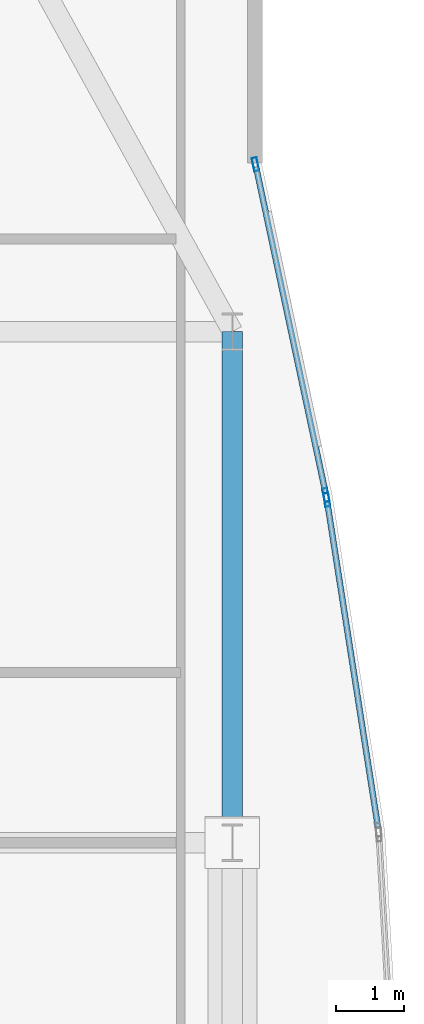
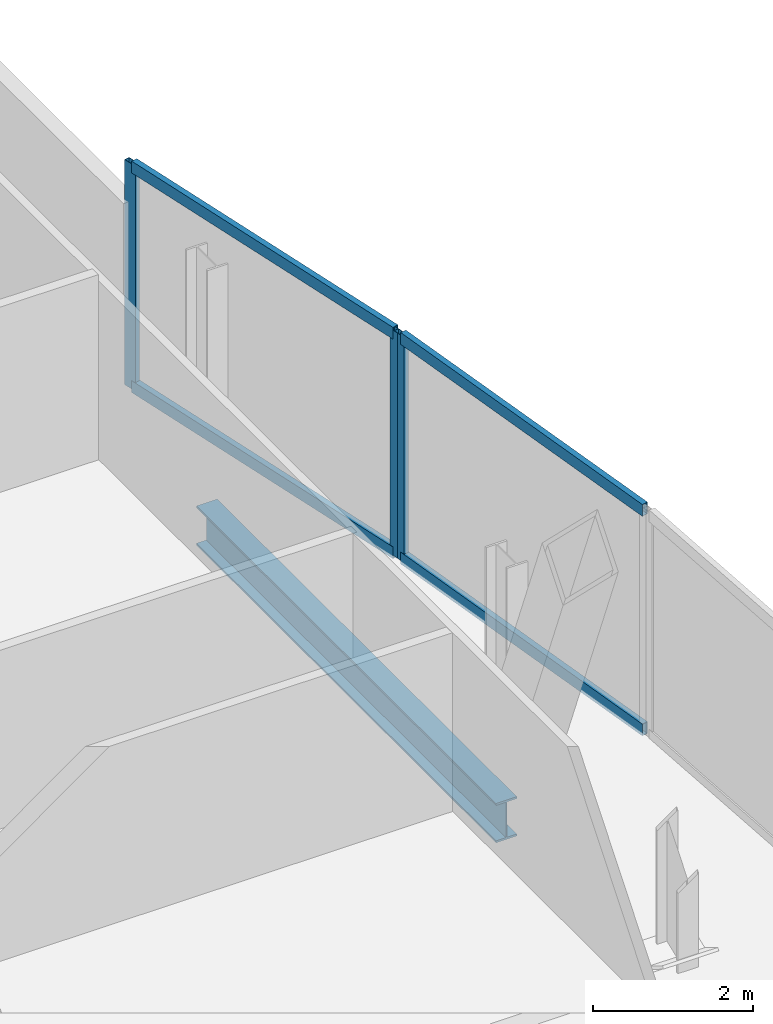
# One storey, part 23 of 30: 7 members, 1 beam, 2 elements without a shape of their own.
"""IFC4 building model written with IfcOpenShell, lengths in metres."""

from ifc_helpers import new_model, si_unit, direction, frame, origin, origin_2d, place, context, subcontext, project, spatial, hollow_rectangle, i_section, extrude, material, material_profile, profile_set, type_object, element, aggregate, save


model = new_model("IFC4")

# Units and contexts
model_context = context("Model", 3, precision=1e-05, world=origin(), true_north=direction((0.0, 1.0)))
body_context = subcontext(model_context, "Body", "Model", "MODEL_VIEW")
ifc_project = project(units=[si_unit("LENGTHUNIT", "METRE"), si_unit("AREAUNIT", "SQUARE_METRE"), si_unit("VOLUMEUNIT", "CUBIC_METRE"), si_unit("PLANEANGLEUNIT", "RADIAN"), si_unit("MASSUNIT", "GRAM", prefix="KILO")], contexts=[model_context])

# Site, building, storey
site_placement = place(None, origin())
site = spatial("IfcSite", under=ifc_project, at=site_placement, CompositionType="ELEMENT")
building_placement = place(site_placement, origin())
building = spatial("IfcBuilding", under=site, at=building_placement, Name="Khoronbel Lancet Exchange", CompositionType="ELEMENT")
storey_placement = place(building_placement, frame((0.0, 0.0, 157.800048828125)))
storey = spatial("IfcBuildingStorey", under=building, at=storey_placement, Name="L39", CompositionType="ELEMENT", Elevation=157.800048828125)

# Beam
ifc_material_1 = material(Name="Steel S355", Category="steel")
ifc_material_profile_1 = material_profile(ifc_material_1, i_section(OverallWidth=0.300048828125, OverallDepth=0.60009765625, WebThickness=0.015380859375, FlangeThickness=0.030029296875, at=origin_2d()), Name="HEB 600")
ifc_profile_set_1 = profile_set([ifc_material_profile_1], Name="Steel S355")
beam_type = type_object("IfcBeamType", Name="BM-BSP2", PredefinedType="SPANDREL", material=ifc_profile_set_1)
beam_placement = place(storey_placement, frame((67.6298828125, 35.699951171875, -0.4599609375), z_axis=(0.0, 1.0, 0.0), x_axis=(-1.0, 0.0, 0.0)))
element("IfcBeam", 1, at=beam_placement, inside=storey, type_object=beam_type, Name="Level L39 perimeter spandrel beam SP14", PredefinedType="SPANDREL", context=body_context, shape_type="SweptSolid", body=[
    extrude(i_section(OverallWidth=0.300048828125, OverallDepth=0.60009765625, WebThickness=0.015380859375, FlangeThickness=0.030029296875, at=origin_2d()), origin(), (0.0, 0.0, 1.0), 7.5),
])

# Curtain wall, members
ifc_material_2 = material(Name="Low-E Solar Control Insulating Glass", Category="glass")
curtain_wall_type = type_object("IfcCurtainWallType", Name="CW-4", PredefinedType="NOTDEFINED", material=ifc_material_2)
curtain_wall_1_placement = place(storey_placement, origin())
curtain_wall_1 = element("IfcCurtainWall", 2, at=curtain_wall_1_placement, inside=storey, type_object=curtain_wall_type, Name="Unitised curtain wall CW-L39-E17", PredefinedType="NOTDEFINED")
ifc_material_3 = material(Name="Bronze-Anodised Aluminium 6063-T6", Category="aluminium")
ifc_material_profile_2 = material_profile(ifc_material_3, hollow_rectangle(XDim=0.074951171875, YDim=0.199951171875, WallThickness=0.0048828125, at=origin_2d()), Name="ALU MULLION 75x200")
ifc_profile_set_2 = profile_set([ifc_material_profile_2], Name="Bronze-Anodised Aluminium 6063-T6")
member_type_1 = type_object("IfcMemberType", Name="MEM-CWM2", PredefinedType="MULLION", material=ifc_profile_set_2)
member_1_placement = place(storey_placement, frame((67.9677734375, 45.65380859375, 0.0), z_axis=(0.0, 0.0, 1.0), x_axis=(0.978023090529, 0.208496605228, 0.0)))
member_1 = element("IfcMember", 3, at=member_1_placement, type_object=member_type_1, Name="CW4 mullion 1", PredefinedType="MULLION", context=body_context, shape_type="SweptSolid", body=[
    extrude(hollow_rectangle(XDim=0.074951171875, YDim=0.199951171875, WallThickness=0.0048828125, at=origin_2d()), origin(), (0.0, 0.0, 1.0), 3.43994140625),
])
member_2_placement = place(storey_placement, frame((69.001708984375, 40.8037109375, 0.0), z_axis=(0.0, 0.0, 1.0), x_axis=(0.978023090529, 0.208496605228, 0.0)))
member_2 = element("IfcMember", 4, at=member_2_placement, type_object=member_type_1, Name="CW4 mullion 2", PredefinedType="MULLION", context=body_context, shape_type="SweptSolid", body=[
    extrude(hollow_rectangle(XDim=0.074951171875, YDim=0.199951171875, WallThickness=0.0048828125, at=origin_2d()), origin(), (0.0, 0.0, 1.0), 3.43994140625),
])

# Curtain wall, member
curtain_wall_2_placement = place(storey_placement, origin())
curtain_wall_2 = element("IfcCurtainWall", 5, at=curtain_wall_2_placement, inside=storey, type_object=curtain_wall_type, Name="Unitised curtain wall CW-L39-E18", PredefinedType="NOTDEFINED")
member_3_placement = place(storey_placement, frame((69.015380859375, 40.72998046875, 0.0), z_axis=(0.0, 0.0, 1.0), x_axis=(0.98804136719, 0.154189029189, 0.0)))
member_3 = element("IfcMember", 6, at=member_3_placement, type_object=member_type_1, Name="CW4 mullion 1", PredefinedType="MULLION", context=body_context, shape_type="SweptSolid", body=[
    extrude(hollow_rectangle(XDim=0.074951171875, YDim=0.199951171875, WallThickness=0.0048828125, at=origin_2d()), origin(), (0.0, 0.0, 1.0), 3.43994140625),
])

# Member
ifc_material_profile_3 = material_profile(ifc_material_3, hollow_rectangle(XDim=0.0849609375, YDim=0.179931640625, WallThickness=0.0048828125, at=origin_2d()), Name="ALU TRANSOM 85x180")
ifc_profile_set_3 = profile_set([ifc_material_profile_3], Name="Bronze-Anodised Aluminium 6063-T6")
member_type_2 = type_object("IfcMemberType", Name="MEM-CWT1", PredefinedType="USERDEFINED", material=ifc_profile_set_3)
member_4_placement = place(storey_placement, frame((67.9755859375, 45.6171875, 0.04248046875), z_axis=(0.208491214547, -0.978024239708, 0.0), x_axis=(0.978024239708, 0.208491214547, 0.0)))
member_4 = element("IfcMember", 7, at=member_4_placement, type_object=member_type_2, Name="CW4 transom 1.1", ObjectType="TRANSOM", PredefinedType="USERDEFINED", context=body_context, shape_type="SweptSolid", body=[
    extrude(hollow_rectangle(XDim=0.0849609375, YDim=0.179931640625, WallThickness=0.0048828125, at=origin_2d()), origin(), (0.0, 0.0, 1.0), 4.88427734375),
])

member_5_placement = place(storey_placement, frame((67.9755859375, 45.6171875, 3.3974609375), z_axis=(0.208491214547, -0.978024239708, 0.0), x_axis=(0.978024239708, 0.208491214547, 0.0)))
member_5 = element("IfcMember", 8, at=member_5_placement, type_object=member_type_2, Name="CW4 transom 1.2", ObjectType="TRANSOM", PredefinedType="USERDEFINED", context=body_context, shape_type="SweptSolid", body=[
    extrude(hollow_rectangle(XDim=0.0849609375, YDim=0.179931640625, WallThickness=0.0048828125, at=origin_2d()), origin(), (0.0, 0.0, 1.0), 4.88427734375),
])

aggregate(curtain_wall_1, [member_1, member_2, member_4, member_5])

member_6_placement = place(storey_placement, frame((69.021240234375, 40.69287109375, 0.04248046875), z_axis=(0.154162061504, -0.988045575261, 0.0), x_axis=(0.988045575261, 0.154162061504, 0.0)))
member_6 = element("IfcMember", 9, at=member_6_placement, type_object=member_type_2, Name="CW4 transom 1.1", ObjectType="TRANSOM", PredefinedType="USERDEFINED", context=body_context, shape_type="SweptSolid", body=[
    extrude(hollow_rectangle(XDim=0.0849609375, YDim=0.179931640625, WallThickness=0.0048828125, at=origin_2d()), origin(), (0.0, 0.0, 1.0), 4.819091796875),
])

member_7_placement = place(storey_placement, frame((69.021240234375, 40.69287109375, 3.3974609375), z_axis=(0.154162061504, -0.988045575261, 0.0), x_axis=(0.988045575261, 0.154162061504, 0.0)))
member_7 = element("IfcMember", 10, at=member_7_placement, type_object=member_type_2, Name="CW4 transom 1.2", ObjectType="TRANSOM", PredefinedType="USERDEFINED", context=body_context, shape_type="SweptSolid", body=[
    extrude(hollow_rectangle(XDim=0.0849609375, YDim=0.179931640625, WallThickness=0.0048828125, at=origin_2d()), origin(), (0.0, 0.0, 1.0), 4.819091796875),
])

aggregate(curtain_wall_2, [member_3, member_6, member_7])

save(model, "model.ifc")
